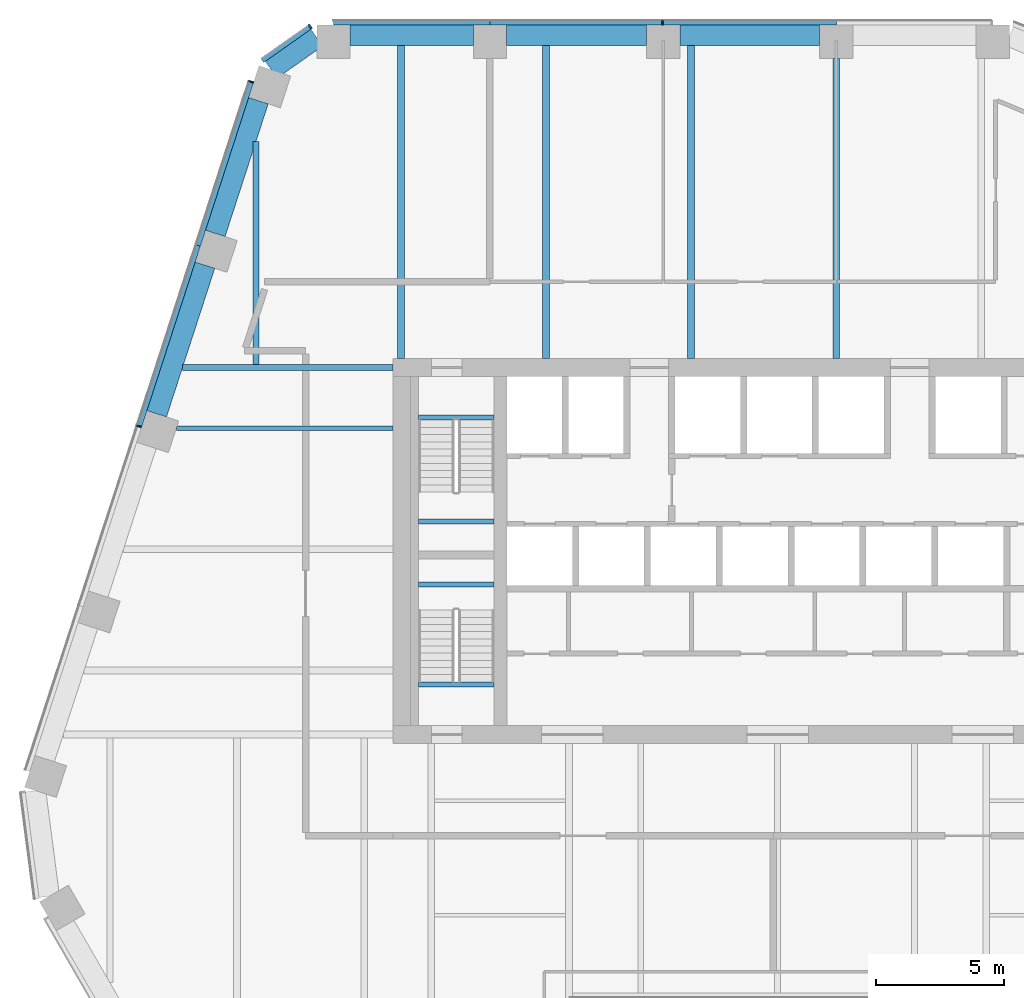
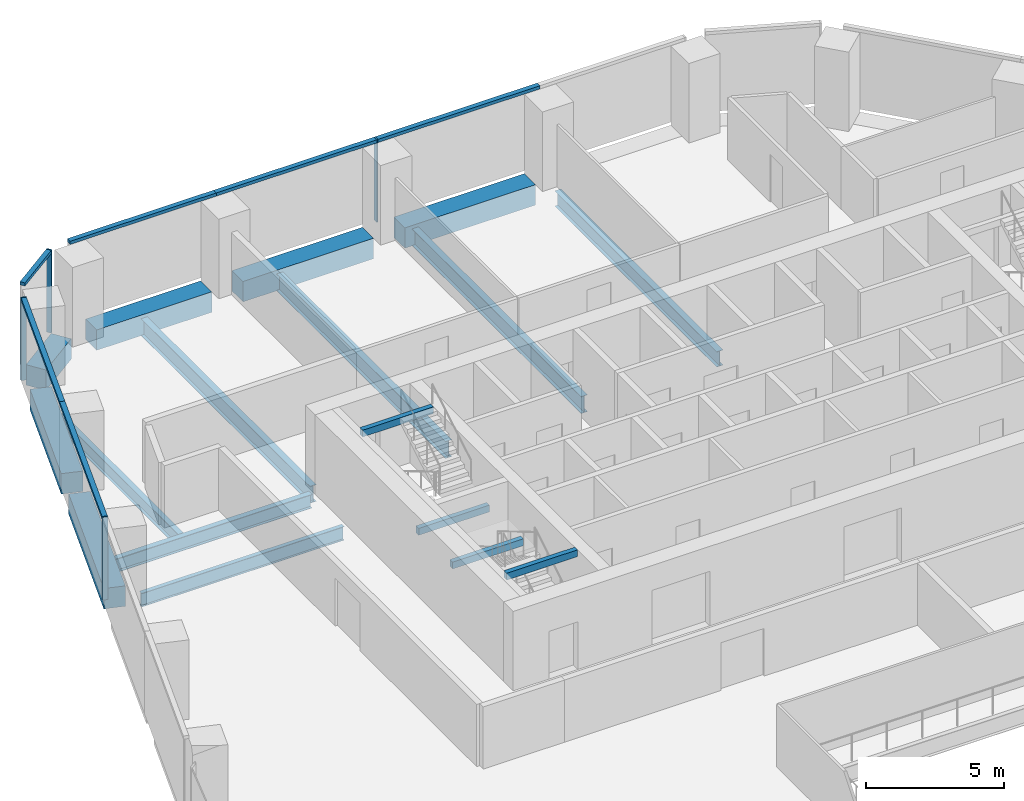
# One storey, part 7 of 16: 17 beams, 10 members, 3 elements without a shape of their own.
"""IFC4 building model written with IfcOpenShell, lengths in metres."""

from ifc_helpers import new_model, si_unit, direction, frame, origin, origin_2d, place, context, subcontext, project, spatial, rectangle, i_section, extrude, material, layer, layer_set, material_profile, profile_set, type_object, element, aggregate, save


model = new_model("IFC4")

# Units and contexts
model_context = context("Model", 3, precision=1e-05, world=origin(), true_north=direction((0.0, 1.0)))
body_context = subcontext(model_context, "Body", "Model", "MODEL_VIEW")
ifc_project = project(units=[si_unit("LENGTHUNIT", "METRE"), si_unit("AREAUNIT", "SQUARE_METRE"), si_unit("VOLUMEUNIT", "CUBIC_METRE"), si_unit("PLANEANGLEUNIT", "RADIAN"), si_unit("MASSUNIT", "GRAM", prefix="KILO")], contexts=[model_context])

# Site, building, storey
site_placement = place(None, origin())
site = spatial("IfcSite", under=ifc_project, at=site_placement, CompositionType="ELEMENT")
building_placement = place(site_placement, origin())
building = spatial("IfcBuilding", under=site, at=building_placement, Name="Isthmus Gate Tower", CompositionType="ELEMENT")
storey_placement = place(building_placement, frame((0.0, 0.0, 196.35009765625)))
storey = spatial("IfcBuildingStorey", under=building, at=storey_placement, Name="L49", CompositionType="ELEMENT", Elevation=196.35009765625)

# Curtain wall, member
ifc_material_1 = material(Name="Aluminium, pale champagne anodised", Category="aluminium")
ifc_layer = layer(ifc_material_1, 0.199951171875)
ifc_layer_set = layer_set([ifc_layer], Name="CW-1 UNITISED CURTAIN WALL 200 DEEP")
curtain_wall_type = type_object("IfcCurtainWallType", Name="CW-1 UNITISED CURTAIN WALL 200 DEEP", PredefinedType="NOTDEFINED", material=ifc_layer_set)
curtain_wall_1_placement = place(storey_placement, origin())
curtain_wall_1 = element("IfcCurtainWall", 1, at=curtain_wall_1_placement, inside=storey, type_object=curtain_wall_type, Name="CW-1 N L49", PredefinedType="NOTDEFINED")
ifc_material_2 = material(Name="Aluminium, pale champagne anodised", Category="aluminium")
ifc_material_profile_1 = material_profile(ifc_material_2, rectangle(XDim=0.06005859375, YDim=0.199951171875, at=origin_2d()), Name="60x200")
ifc_profile_set_1 = profile_set([ifc_material_profile_1], Name="Aluminium, pale champagne anodised")
member_type_1 = type_object("IfcMemberType", Name="CW-1 MULLION 60 X 200", PredefinedType="MULLION", material=ifc_profile_set_1)
member_1_placement = place(storey_placement, frame((-4.49169921875, 28.10009765625, 0.0), z_axis=(0.0, 0.0, 1.0), x_axis=(-1.0, 0.0, 0.0)))
member_1 = element("IfcMember", 2, at=member_1_placement, type_object=member_type_1, Name="CW-1 mullion", PredefinedType="MULLION", context=body_context, shape_type="SweptSolid", body=[
    extrude(rectangle(XDim=0.06005859375, YDim=0.199951171875, at=origin_2d()), origin(), (0.0, 0.0, 1.0), 3.64990234375),
])

curtain_wall_2_placement = place(storey_placement, origin())
curtain_wall_2 = element("IfcCurtainWall", 3, at=curtain_wall_2_placement, inside=storey, type_object=curtain_wall_type, Name="CW-1 N-NW L49", PredefinedType="NOTDEFINED")
member_2_placement = place(storey_placement, frame((-18.216552734375, 27.943115234375, 0.0), z_axis=(0.0, 0.0, 1.0), x_axis=(-0.81785959165, -0.57541783805, 0.0)))
member_2 = element("IfcMember", 4, at=member_2_placement, type_object=member_type_1, Name="CW-1 mullion", PredefinedType="MULLION", context=body_context, shape_type="SweptSolid", body=[
    extrude(rectangle(XDim=0.06005859375, YDim=0.199951171875, at=origin_2d()), origin(), (0.0, 0.0, 1.0), 3.64990234375),
])

# Curtain wall, members
curtain_wall_3_placement = place(storey_placement, origin())
curtain_wall_3 = element("IfcCurtainWall", 5, at=curtain_wall_3_placement, inside=storey, type_object=curtain_wall_type, Name="CW-1 NW L49", PredefinedType="NOTDEFINED")
member_3_placement = place(storey_placement, frame((-20.52001953125, 25.799072265625, 0.0), z_axis=(0.0, 0.0, 1.0), x_axis=(-0.309016994375, -0.951056516295, 0.0)))
member_3 = element("IfcMember", 6, at=member_3_placement, type_object=member_type_1, Name="CW-1 mullion", PredefinedType="MULLION", context=body_context, shape_type="SweptSolid", body=[
    extrude(rectangle(XDim=0.06005859375, YDim=0.199951171875, at=origin_2d()), origin(), (0.0, 0.0, 1.0), 3.64990234375),
])
member_4_placement = place(storey_placement, frame((-24.886962890625, 12.359130859375, 0.0), z_axis=(0.0, 0.0, 1.0), x_axis=(-0.309016994375, -0.951056516295, 0.0)))
member_4 = element("IfcMember", 7, at=member_4_placement, type_object=member_type_1, Name="CW-1 mullion", PredefinedType="MULLION", context=body_context, shape_type="SweptSolid", body=[
    extrude(rectangle(XDim=0.06005859375, YDim=0.199951171875, at=origin_2d()), origin(), (0.0, 0.0, 1.0), 3.64990234375),
])

# Member
ifc_material_3 = material(Name="Aluminium, pale champagne anodised", Category="aluminium")
ifc_material_profile_2 = material_profile(ifc_material_3, rectangle(XDim=0.199951171875, YDim=0.139892578125, at=origin_2d()), Name="200x140")
ifc_profile_set_2 = profile_set([ifc_material_profile_2], Name="Aluminium, pale champagne anodised")
member_type_2 = type_object("IfcMemberType", Name="CW-1 TRANSOM 200 X 140", PredefinedType="USERDEFINED", material=ifc_profile_set_2)
member_5_placement = place(storey_placement, frame((2.288330078125, 28.10009765625, 3.579833984375), z_axis=(-1.0, 0.0, 0.0), x_axis=(0.0, -1.0, 0.0)))
member_5 = element("IfcMember", 8, at=member_5_placement, type_object=member_type_2, Name="CW-1 transom", ObjectType="TRANSOM", PredefinedType="USERDEFINED", context=body_context, shape_type="SweptSolid", body=[
    extrude(rectangle(XDim=0.199951171875, YDim=0.139892578125, at=origin_2d()), origin(), (0.0, 0.0, 1.0), 6.75),
])

member_6_placement = place(storey_placement, frame((-4.521728515625, 28.10009765625, 3.579833984375), z_axis=(-1.0, 0.0, 0.0), x_axis=(0.0, -1.0, 0.0)))
member_6 = element("IfcMember", 9, at=member_6_placement, type_object=member_type_2, Name="CW-1 transom", ObjectType="TRANSOM", PredefinedType="USERDEFINED", context=body_context, shape_type="SweptSolid", body=[
    extrude(rectangle(XDim=0.199951171875, YDim=0.139892578125, at=origin_2d()), origin(), (0.0, 0.0, 1.0), 6.690185546875),
])

member_7_placement = place(storey_placement, frame((-11.2119140625, 28.10009765625, 3.579833984375), z_axis=(-1.0, 0.0, 0.0), x_axis=(0.0, -1.0, 0.0)))
member_7 = element("IfcMember", 10, at=member_7_placement, type_object=member_type_2, Name="CW-1 transom", ObjectType="TRANSOM", PredefinedType="USERDEFINED", context=body_context, shape_type="SweptSolid", body=[
    extrude(rectangle(XDim=0.199951171875, YDim=0.139892578125, at=origin_2d()), origin(), (0.0, 0.0, 1.0), 6.10009765625),
])

aggregate(curtain_wall_1, [member_5, member_1, member_6, member_7])

member_8_placement = place(storey_placement, frame((-18.2412109375, 27.92578125, 3.579833984375), z_axis=(-0.817868595604, -0.575405040233, 0.0), x_axis=(0.575405040233, -0.817868595604, 0.0)))
member_8 = element("IfcMember", 11, at=member_8_placement, type_object=member_type_2, Name="CW-1 transom", ObjectType="TRANSOM", PredefinedType="USERDEFINED", context=body_context, shape_type="SweptSolid", body=[
    extrude(rectangle(XDim=0.199951171875, YDim=0.139892578125, at=origin_2d()), origin(), (0.0, 0.0, 1.0), 2.258544921875),
])

aggregate(curtain_wall_2, [member_2, member_8])

member_9_placement = place(storey_placement, frame((-20.529296875, 25.7705078125, 3.579833984375), z_axis=(-0.309015834351, -0.951056893209, 0.0), x_axis=(0.951056893209, -0.309015834351, 0.0)))
member_9 = element("IfcMember", 12, at=member_9_placement, type_object=member_type_2, Name="CW-1 transom", ObjectType="TRANSOM", PredefinedType="USERDEFINED", context=body_context, shape_type="SweptSolid", body=[
    extrude(rectangle(XDim=0.199951171875, YDim=0.139892578125, at=origin_2d()), origin(), (0.0, 0.0, 1.0), 6.6806640625),
])

member_10_placement = place(storey_placement, frame((-22.59375, 19.416748046875, 3.579833984375), z_axis=(-0.309024076379, -0.951054215183, 0.0), x_axis=(0.951054215183, -0.309024076379, 0.0)))
member_10 = element("IfcMember", 13, at=member_10_placement, type_object=member_type_2, Name="CW-1 transom", ObjectType="TRANSOM", PredefinedType="USERDEFINED", context=body_context, shape_type="SweptSolid", body=[
    extrude(rectangle(XDim=0.199951171875, YDim=0.139892578125, at=origin_2d()), origin(), (0.0, 0.0, 1.0), 7.390869140625),
])

aggregate(curtain_wall_3, [member_3, member_9, member_10, member_4])

# Beams
ifc_material_4 = material(Name="Concrete f'c 60 MPa", Category="concrete")
ifc_material_profile_3 = material_profile(ifc_material_4, rectangle(XDim=0.800048828125, YDim=0.89990234375, at=origin_2d()), Name="RC 800X900")
ifc_profile_set_3 = profile_set([ifc_material_profile_3], Name="Concrete f'c 60 MPa")
beam_type_1 = type_object("IfcBeamType", Name="RC SPANDREL 800 X 900", PredefinedType="SPANDREL", material=ifc_profile_set_3)
beam_1_placement = place(storey_placement, frame((-24.201416015625, 12.851318359375, -0.4501953125), z_axis=(0.309039848514, 0.951049090232, 0.0), x_axis=(-0.951049090232, 0.309039848514, 0.0)))
element("IfcBeam", 14, at=beam_1_placement, inside=storey, type_object=beam_type_1, Name="str-spandrel-L49-23", PredefinedType="SPANDREL", context=body_context, shape_type="SweptSolid", body=[
    extrude(rectangle(XDim=0.800048828125, YDim=0.89990234375, at=origin_2d()), origin(), (0.0, 0.0, 1.0), 6.0908203125),
])
beam_2_placement = place(storey_placement, frame((-21.91748046875, 19.88037109375, -0.4501953125), z_axis=(0.309030267747, 0.951052203413, 0.0), x_axis=(-0.951052203413, 0.309030267747, 0.0)))
element("IfcBeam", 15, at=beam_2_placement, inside=storey, type_object=beam_type_1, Name="str-spandrel-L49-24", PredefinedType="SPANDREL", context=body_context, shape_type="SweptSolid", body=[
    extrude(rectangle(XDim=0.800048828125, YDim=0.89990234375, at=origin_2d()), origin(), (0.0, 0.0, 1.0), 5.44091796875),
])
beam_3_placement = place(storey_placement, frame((-19.7392578125, 26.260498046875, -0.4501953125), z_axis=(0.817857331203, 0.575421050882, 0.0), x_axis=(-0.575421050882, 0.817857331203, 0.0)))
element("IfcBeam", 16, at=beam_3_placement, inside=storey, type_object=beam_type_1, Name="str-spandrel-L49-25", PredefinedType="SPANDREL", context=body_context, shape_type="SweptSolid", body=[
    extrude(rectangle(XDim=0.800048828125, YDim=0.89990234375, at=origin_2d()), origin(), (0.0, 0.0, 1.0), 2.173095703125),
])
beam_4_placement = place(storey_placement, frame((-16.661865234375, 27.60009765625, -0.4501953125), z_axis=(1.0, 0.0, 0.0), x_axis=(0.0, 1.0, 0.0)))
element("IfcBeam", 17, at=beam_4_placement, inside=storey, type_object=beam_type_1, Name="str-spandrel-L49-26", PredefinedType="SPANDREL", context=body_context, shape_type="SweptSolid", body=[
    extrude(rectangle(XDim=0.800048828125, YDim=0.89990234375, at=origin_2d()), origin(), (0.0, 0.0, 1.0), 4.800048828125),
])
beam_5_placement = place(storey_placement, frame((-10.561767578125, 27.60009765625, -0.4501953125), z_axis=(1.0, 0.0, 0.0), x_axis=(0.0, 1.0, 0.0)))
element("IfcBeam", 18, at=beam_5_placement, inside=storey, type_object=beam_type_1, Name="str-spandrel-L49-27", PredefinedType="SPANDREL", context=body_context, shape_type="SweptSolid", body=[
    extrude(rectangle(XDim=0.800048828125, YDim=0.89990234375, at=origin_2d()), origin(), (0.0, 0.0, 1.0), 5.449951171875),
])
beam_6_placement = place(storey_placement, frame((-3.811767578125, 27.60009765625, -0.4501953125), z_axis=(1.0, 0.0, 0.0), x_axis=(0.0, 1.0, 0.0)))
element("IfcBeam", 19, at=beam_6_placement, inside=storey, type_object=beam_type_1, Name="str-spandrel-L49-28", PredefinedType="SPANDREL", context=body_context, shape_type="SweptSolid", body=[
    extrude(rectangle(XDim=0.800048828125, YDim=0.89990234375, at=origin_2d()), origin(), (0.0, 0.0, 1.0), 5.4501953125),
])
ifc_material_5 = material(Name="Concrete f'c 40 MPa", Category="concrete")
ifc_material_profile_4 = material_profile(ifc_material_5, rectangle(XDim=0.199951171875, YDim=0.300048828125, at=origin_2d()), Name="STAIR LANDING BEAM RC 200 X 300")
ifc_profile_set_4 = profile_set([ifc_material_profile_4], Name="Concrete f'c 40 MPa")
beam_type_2 = type_object("IfcBeamType", Name="STAIR LANDING BEAM RC 200 X 300", PredefinedType="BEAM", material=ifc_profile_set_4)
for number, where, z_axis, x_axis, name in (
    (20, (-14.0, 8.64990234375, 1.474853515625), (1.0, 0.0, 0.0), (0.0, 1.0, 0.0), "L49 ST1 landing beam 1"),
    (21, (-14.0, 12.7001953125, 3.349853515625), (1.0, 0.0, 0.0), (0.0, 1.0, 0.0), "L49 ST1 floor-edge seat beam"),
    (22, (-14.0, 6.199951171875, 1.474853515625), (1.0, 0.0, 0.0), (0.0, 1.0, 0.0), "L49 ST7 landing beam 1"),
    (23, (-14.0, 2.2998046875, 3.349853515625), (1.0, 0.0, 0.0), (0.0, 1.0, 0.0), "L49 ST7 floor-edge seat beam"),
):
    element("IfcBeam", number, at=place(storey_placement, frame(where, z_axis=z_axis, x_axis=x_axis)), inside=storey, type_object=beam_type_2, Name=name, PredefinedType="BEAM", context=body_context, shape_type="SweptSolid", body=[
        extrude(rectangle(XDim=0.199951171875, YDim=0.300048828125, at=origin_2d()), origin(), (0.0, 0.0, 1.0), 2.949951171875),
    ])
ifc_material_6 = material(Name="Structural steel ASTM A992 Gr 50", Category="steel")
ifc_material_profile_5 = material_profile(ifc_material_6, i_section(OverallWidth=0.177734375, OverallDepth=0.60009765625, WebThickness=0.009521484375, FlangeThickness=0.0126953125, at=origin_2d()), Name="W24X55")
ifc_profile_set_5 = profile_set([ifc_material_profile_5], Name="Structural steel ASTM A992 Gr 50")
beam_type_3 = type_object("IfcBeamType", Name="STEEL FLOOR BEAM W24X55", PredefinedType="JOIST", material=ifc_profile_set_5)
beam_7_placement = place(storey_placement, frame((-23.43798828125, 12.28857421875, -0.4501953125), z_axis=(1.0, 0.0, 0.0), x_axis=(0.0, 1.0, 0.0)))
element("IfcBeam", 24, at=beam_7_placement, inside=storey, type_object=beam_type_3, Name="str-beam-L49-01-02", PredefinedType="JOIST", context=body_context, shape_type="SweptSolid", body=[
    extrude(i_section(OverallWidth=0.177734375, OverallDepth=0.60009765625, WebThickness=0.009521484375, FlangeThickness=0.0126953125, at=origin_2d()), origin(), (0.0, 0.0, 1.0), 8.43798828125),
])
ifc_material_7 = material(Name="Structural steel ASTM A992 Gr 50", Category="steel")
ifc_material_profile_6 = material_profile(ifc_material_7, i_section(OverallWidth=0.228515625, OverallDepth=0.603271484375, WebThickness=0.010986328125, FlangeThickness=0.014404296875, at=origin_2d()), Name="W24X68")
ifc_profile_set_6 = profile_set([ifc_material_profile_6], Name="Structural steel ASTM A992 Gr 50")
beam_type_4 = type_object("IfcBeamType", Name="STEEL FLOOR BEAM W24X68", PredefinedType="JOIST", material=ifc_profile_set_6)
beam_8_placement = place(storey_placement, frame((-20.332763671875, 14.764404296875, -0.45166015625), z_axis=(0.0, 1.0, 0.0), x_axis=(-1.0, 0.0, 0.0)))
element("IfcBeam", 25, at=beam_8_placement, inside=storey, type_object=beam_type_4, Name="str-beam-L49-05-00", PredefinedType="JOIST", context=body_context, shape_type="SweptSolid", body=[
    extrude(i_section(OverallWidth=0.228515625, OverallDepth=0.603271484375, WebThickness=0.010986328125, FlangeThickness=0.014404296875, at=origin_2d()), origin(), (0.0, 0.0, 1.0), 8.69873046875),
])
ifc_material_8 = material(Name="Structural steel ASTM A992 Gr 50", Category="steel")
ifc_material_profile_7 = material_profile(ifc_material_8, i_section(OverallWidth=0.25390625, OverallDepth=0.679443359375, WebThickness=0.010986328125, FlangeThickness=0.015869140625, at=origin_2d()), Name="W27X84")
ifc_profile_set_7 = profile_set([ifc_material_profile_7], Name="Structural steel ASTM A992 Gr 50")
beam_type_5 = type_object("IfcBeamType", Name="STEEL FLOOR BEAM W27X84", PredefinedType="JOIST", material=ifc_profile_set_7)
beam_9_placement = place(storey_placement, frame((2.2783203125, 15.0, -0.48974609375), z_axis=(0.0, 1.0, 0.0), x_axis=(-1.0, 0.0, 0.0)))
element("IfcBeam", 26, at=beam_9_placement, inside=storey, type_object=beam_type_5, Name="str-beam-L49-05-04", PredefinedType="JOIST", context=body_context, shape_type="SweptSolid", body=[
    extrude(i_section(OverallWidth=0.25390625, OverallDepth=0.679443359375, WebThickness=0.010986328125, FlangeThickness=0.015869140625, at=origin_2d()), origin(), (0.0, 0.0, 1.0), 11.699951171875),
])
ifc_material_9 = material(Name="Structural steel ASTM A992 Gr 50", Category="steel")
ifc_material_profile_8 = material_profile(ifc_material_9, i_section(OverallWidth=0.263427734375, OverallDepth=0.749267578125, WebThickness=0.0126953125, FlangeThickness=0.015869140625, at=origin_2d()), Name="W30X90")
ifc_profile_set_8 = profile_set([ifc_material_profile_8], Name="Structural steel ASTM A992 Gr 50")
beam_type_6 = type_object("IfcBeamType", Name="STEEL FLOOR BEAM W30X90", PredefinedType="JOIST", material=ifc_profile_set_8)
for number, where, z_axis, x_axis, name in (
    (27, (-14.679931640625, 15.0, -0.524658203125), (0.0, 1.0, 0.0), (-1.0, 0.0, 0.0), "str-beam-L49-05-01"),
    (28, (-9.027099609375, 15.0, -0.524658203125), (0.0, 1.0, 0.0), (-1.0, 0.0, 0.0), "str-beam-L49-05-02"),
    (29, (-3.37451171875, 15.0, -0.524658203125), (0.0, 1.0, 0.0), (-1.0, 0.0, 0.0), "str-beam-L49-05-03"),
):
    element("IfcBeam", number, at=place(storey_placement, frame(where, z_axis=z_axis, x_axis=x_axis)), inside=storey, type_object=beam_type_6, Name=name, PredefinedType="JOIST", context=body_context, shape_type="SweptSolid", body=[
        extrude(i_section(OverallWidth=0.263427734375, OverallDepth=0.749267578125, WebThickness=0.0126953125, FlangeThickness=0.015869140625, at=origin_2d()), origin(), (0.0, 0.0, 1.0), 12.199951171875),
    ])
ifc_material_10 = material(Name="Structural steel ASTM A992 Gr 50", Category="steel")
ifc_material_profile_9 = material_profile(ifc_material_10, i_section(OverallWidth=0.228515625, OverallDepth=0.6064453125, WebThickness=0.010986328125, FlangeThickness=0.017578125, at=origin_2d()), Name="W24X76")
ifc_profile_set_9 = profile_set([ifc_material_profile_9], Name="Structural steel ASTM A992 Gr 50")
beam_type_7 = type_object("IfcBeamType", Name="STEEL GIRDER W24X76", PredefinedType="BEAM", material=ifc_profile_set_9)
beam_10_placement = place(storey_placement, frame((-15.0, 14.64990234375, -0.453369140625), z_axis=(-1.0, 0.0, 0.0), x_axis=(0.0, -1.0, 0.0)))
element("IfcBeam", 30, at=beam_10_placement, inside=storey, type_object=beam_type_7, Name="str-girder-L49-15", PredefinedType="BEAM", context=body_context, shape_type="SweptSolid", body=[
    extrude(i_section(OverallWidth=0.228515625, OverallDepth=0.6064453125, WebThickness=0.010986328125, FlangeThickness=0.017578125, at=origin_2d()), origin(), (0.0, 0.0, 1.0), 8.1962890625),
])

save(model, "model.ifc")
